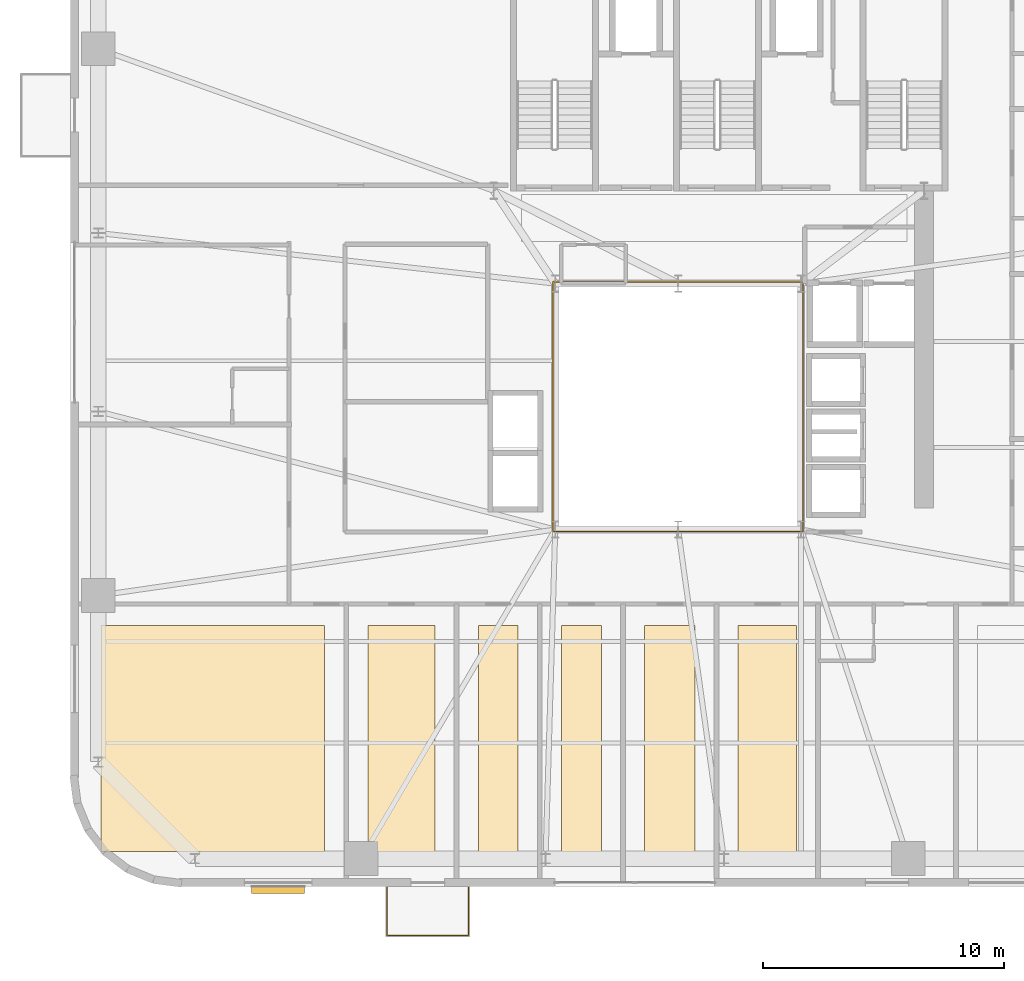
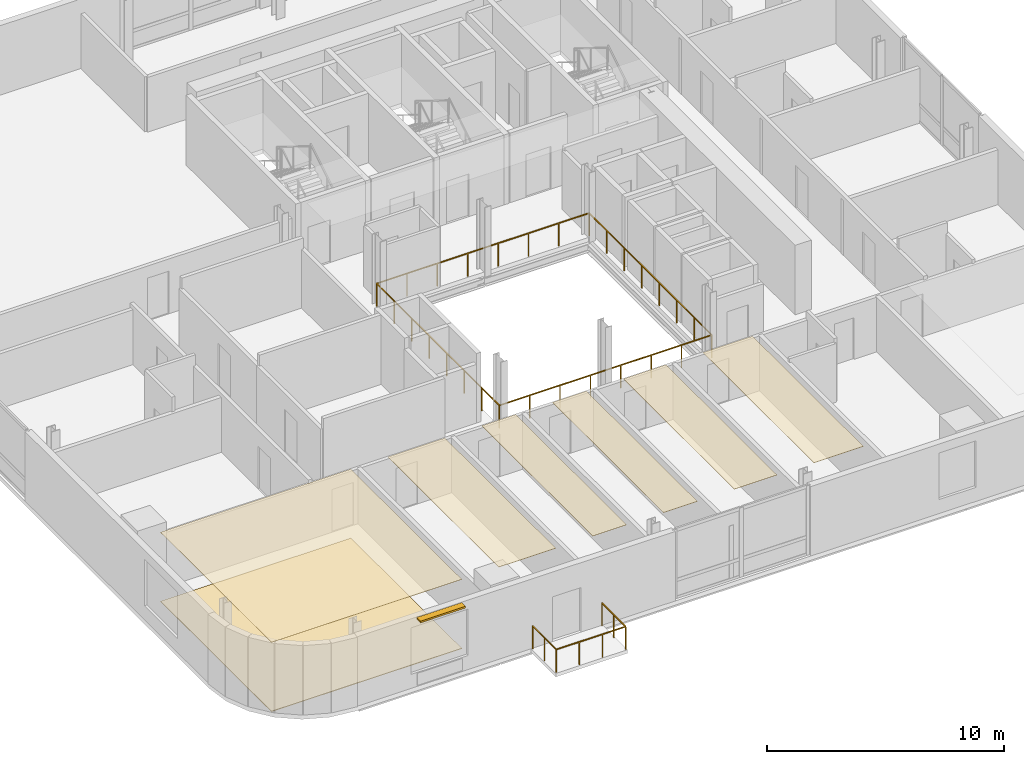
# One storey, part 12 of 16: 7 coverings, 2 railings, 1 shading device.
"""IFC4 building model written with IfcOpenShell, lengths in metres."""

from ifc_helpers import new_model, si_unit, direction, frame, origin, origin_2d, place, context, subcontext, project, spatial, polyline, rectangle, outline, extrude, source, transform, mapped, material, layer, layer_set, type_object, element, save


model = new_model("IFC4")

# Units and contexts
model_context = context("Model", 3, precision=1e-05, world=origin(), true_north=direction((0.0, 1.0)))
body_context = subcontext(model_context, "Body", "Model", "MODEL_VIEW")
ifc_project = project(units=[si_unit("LENGTHUNIT", "METRE"), si_unit("AREAUNIT", "SQUARE_METRE"), si_unit("VOLUMEUNIT", "CUBIC_METRE"), si_unit("PLANEANGLEUNIT", "RADIAN"), si_unit("MASSUNIT", "GRAM", prefix="KILO")], contexts=[model_context])

# Site, building, storey
site_placement = place(None, origin())
site = spatial("IfcSite", under=ifc_project, at=site_placement, CompositionType="ELEMENT")
building_placement = place(site_placement, origin())
building = spatial("IfcBuilding", under=site, at=building_placement, Name="Vardaveli Station Tower", CompositionType="ELEMENT")
storey_placement = place(building_placement, frame((0.0, 0.0, 181.0)))
storey = spatial("IfcBuildingStorey", under=building, at=storey_placement, Name="L46", CompositionType="ELEMENT", Elevation=181.0)

# Coverings
ifc_material_1 = material(Name="Perforated acoustic mineral ceiling")
ifc_layer_1 = layer(ifc_material_1, 0.02001953125, Name="Perforated acoustic mineral ceiling")
ifc_layer_set_1 = layer_set([ifc_layer_1], Name="Perforated acoustic mineral ceiling")
covering_type_1 = type_object("IfcCoveringType", Name="COV-CEIL-AC20", PredefinedType="CEILING", material=ifc_layer_set_1)
covering_1_placement = place(storey_placement, frame((0.0, 0.0, 3.56494140625)))
element("IfcCovering", 1, at=covering_1_placement, inside=storey, type_object=covering_type_1, Name="CEIL-L46-1", PredefinedType="CEILING", context=body_context, shape_type="SweptSolid", body=[
    extrude(outline(polyline([(12.35009765625, 3.25), (21.6298828125, 3.25), (21.6298828125, 12.610107421875), (12.35009765625, 12.610107421875), (12.35009765625, 3.25)])), origin(), (0.0, 0.0, 1.0), 0.02001953125),
])
covering_2_placement = place(storey_placement, frame((0.0, 0.0, 3.56494140625)))
element("IfcCovering", 2, at=covering_2_placement, inside=storey, type_object=covering_type_1, Name="CEIL-L46-2", PredefinedType="CEILING", context=body_context, shape_type="SweptSolid", body=[
    extrude(outline(polyline([(23.429931640625, 3.25), (26.21044921875, 3.25), (26.21044921875, 12.610107421875), (23.429931640625, 12.610107421875), (23.429931640625, 3.25)])), origin(), (0.0, 0.0, 1.0), 0.02001953125),
])
covering_3_placement = place(storey_placement, frame((0.0, 0.0, 3.56494140625)))
element("IfcCovering", 3, at=covering_3_placement, inside=storey, type_object=covering_type_1, Name="CEIL-L46-3", PredefinedType="CEILING", context=body_context, shape_type="SweptSolid", body=[
    extrude(outline(polyline([(28.010498046875, 3.25), (29.660400390625, 3.25), (29.660400390625, 12.610107421875), (28.010498046875, 12.610107421875), (28.010498046875, 3.25)])), origin(), (0.0, 0.0, 1.0), 0.02001953125),
])
covering_4_placement = place(storey_placement, frame((0.0, 0.0, 3.56494140625)))
element("IfcCovering", 4, at=covering_4_placement, inside=storey, type_object=covering_type_1, Name="CEIL-L46-4", PredefinedType="CEILING", context=body_context, shape_type="SweptSolid", body=[
    extrude(outline(polyline([(31.46044921875, 3.25), (33.1103515625, 3.25), (33.1103515625, 12.610107421875), (31.46044921875, 12.610107421875), (31.46044921875, 3.25)])), origin(), (0.0, 0.0, 1.0), 0.02001953125),
])
covering_5_placement = place(storey_placement, frame((0.0, 0.0, 3.56494140625)))
element("IfcCovering", 5, at=covering_5_placement, inside=storey, type_object=covering_type_1, Name="CEIL-L46-5", PredefinedType="CEILING", context=body_context, shape_type="SweptSolid", body=[
    extrude(outline(polyline([(34.910400390625, 3.25), (36.989990234375, 3.25), (36.989990234375, 12.610107421875), (34.910400390625, 12.610107421875), (34.910400390625, 3.25)])), origin(), (0.0, 0.0, 1.0), 0.02001953125),
])
covering_6_placement = place(storey_placement, frame((0.0, 0.0, 3.56494140625)))
element("IfcCovering", 6, at=covering_6_placement, inside=storey, type_object=covering_type_1, Name="CEIL-L46-6", PredefinedType="CEILING", context=body_context, shape_type="SweptSolid", body=[
    extrude(outline(polyline([(38.7900390625, 3.25), (41.205078125, 3.25), (41.205078125, 12.610107421875), (38.7900390625, 12.610107421875), (38.7900390625, 3.25)])), origin(), (0.0, 0.0, 1.0), 0.02001953125),
])
ifc_material_2 = material(Name="Honed Caucasian basalt and travertine flooring", Category="masonry")
ifc_layer_2 = layer(ifc_material_2, 0.030029296875, Name="Honed Caucasian basalt and travertine flooring")
ifc_layer_set_2 = layer_set([ifc_layer_2], Name="Honed Caucasian basalt and travertine flooring")
covering_type_2 = type_object("IfcCoveringType", Name="COV-FLOOR-ST30", PredefinedType="FLOORING", material=ifc_layer_set_2)
covering_7_placement = place(storey_placement, origin())
element("IfcCovering", 7, at=covering_7_placement, inside=storey, type_object=covering_type_2, Name="FLR-L46-1", PredefinedType="FLOORING", context=body_context, shape_type="SweptSolid", body=[
    extrude(outline(polyline([(12.35009765625, 3.25), (21.6298828125, 3.25), (21.6298828125, 12.610107421875), (12.35009765625, 12.610107421875), (12.35009765625, 3.25)])), origin(), (0.0, 0.0, 1.0), 0.030029296875),
])

# Railing
ifc_material_3 = material(Name="Laminated glass and stainless steel balustrade", Category="steel")
railing_type = type_object("IfcRailingType", Name="RL-BAL-1200", PredefinedType="BALUSTRADE", material=ifc_material_3)
shared_shape_1 = source(origin(), body_context, "Body", "SweptSolid", [
    extrude(rectangle(XDim=0.048095703125, YDim=0.048095703125, at=origin_2d()), frame((0.0, 0.0, 1.17578125), z_axis=(0.0, -1.0, 0.0), x_axis=(1.0, 0.0, 0.0)), (0.0, 0.0, 1.0), 2.0),
    extrude(rectangle(XDim=0.048095703125, YDim=0.048095703125, at=origin_2d()), frame((0.0, -2.0, 1.17578125), z_axis=(1.0, 0.0, 0.0), x_axis=(0.0, 1.0, 0.0)), (0.0, 0.0, 1.0), 3.3798828125),
    extrude(rectangle(XDim=0.048095703125, YDim=0.048095703125, at=origin_2d()), frame((3.3798828125, -2.0, 1.17578125), z_axis=(0.0, 1.0, 0.0), x_axis=(-1.0, 0.0, 0.0)), (0.0, 0.0, 1.0), 2.0),
    extrude(rectangle(XDim=0.0419921875, YDim=0.0419921875, at=origin_2d()), origin(), (0.0, 0.0, 1.0), 1.15185546875),
    extrude(rectangle(XDim=0.0419921875, YDim=0.0419921875, at=origin_2d()), frame((0.0, -1.0, 0.0)), (0.0, 0.0, 1.0), 1.15185546875),
    extrude(rectangle(XDim=0.0419921875, YDim=0.0419921875, at=origin_2d()), frame((0.0, -2.0, 0.0)), (0.0, 0.0, 1.0), 1.15185546875),
    extrude(rectangle(XDim=0.0419921875, YDim=0.0419921875, at=origin_2d()), frame((1.126708984375, -2.0, 0.0)), (0.0, 0.0, 1.0), 1.15185546875),
    extrude(rectangle(XDim=0.0419921875, YDim=0.0419921875, at=origin_2d()), frame((2.253173828125, -2.0, 0.0)), (0.0, 0.0, 1.0), 1.15185546875),
    extrude(rectangle(XDim=0.0419921875, YDim=0.0419921875, at=origin_2d()), frame((3.3798828125, -2.0, 0.0)), (0.0, 0.0, 1.0), 1.15185546875),
    extrude(rectangle(XDim=0.0419921875, YDim=0.0419921875, at=origin_2d()), frame((3.3798828125, -1.0, 0.0)), (0.0, 0.0, 1.0), 1.15185546875),
    extrude(rectangle(XDim=0.0419921875, YDim=0.0419921875, at=origin_2d()), frame((3.3798828125, 0.0, 0.0)), (0.0, 0.0, 1.0), 1.15185546875),
])
railing_1_placement = place(storey_placement, frame((24.220458984375, 1.760009765625, 0.0)))
element("IfcRailing", 8, at=railing_1_placement, inside=storey, type_object=railing_type, Name="RL-LOG-L46-01", PredefinedType="BALUSTRADE", context=body_context, shape_type="MappedRepresentation", body=[
    mapped(shared_shape_1, transform((0.0, 0.0, 0.0), scale=1.0)),
])

# Shading device
ifc_material_4 = material(Name="Anodised champagne aluminium sunshade", Category="aluminium")
ifc_layer_3 = layer(ifc_material_4, 0.090087890625, Name="Anodised champagne aluminium sunshade")
ifc_layer_set_3 = layer_set([ifc_layer_3], Name="Anodised champagne aluminium sunshade")
shading_device_type = type_object("IfcShadingDeviceType", Name="SHD-SUNSHADE", PredefinedType="USERDEFINED", material=ifc_layer_set_3)
shared_shape_2 = source(origin(), body_context, "Body", "SweptSolid", [
    extrude(rectangle(XDim=2.199951171875, YDim=0.320068359375, at=origin_2d()), origin(), (0.0, 0.0, 1.0), 0.090087890625),
])
shading_device_placement = place(storey_placement, frame((19.705078125, 1.655029296875, 3.4599609375), z_axis=(0.0, 0.0, 1.0), x_axis=(1.0, 0.0, 0.0)))
element("IfcShadingDevice", 9, at=shading_device_placement, inside=storey, type_object=shading_device_type, Name="SHD-SS-L46-S", ObjectType="SUNSHADE", PredefinedType="USERDEFINED", context=body_context, shape_type="MappedRepresentation", body=[
    mapped(shared_shape_2, transform((0.0, 0.0, 0.0), scale=1.0)),
])

# Railing
shared_shape_3 = source(origin(), body_context, "Body", "SweptSolid", [
    extrude(rectangle(XDim=0.048095703125, YDim=0.048095703125, at=origin_2d()), frame((0.0, 0.0, 1.17578125), z_axis=(1.0, 0.0, 0.0), x_axis=(0.0, 1.0, 0.0)), (0.0, 0.0, 1.0), 10.35986328125),
    extrude(rectangle(XDim=0.048095703125, YDim=0.048095703125, at=origin_2d()), frame((10.35986328125, 0.0, 1.17578125), z_axis=(0.0, 1.0, 0.0), x_axis=(-1.0, 0.0, 0.0)), (0.0, 0.0, 1.0), 10.35986328125),
    extrude(rectangle(XDim=0.048095703125, YDim=0.048095703125, at=origin_2d()), frame((10.35986328125, 10.35986328125, 1.17578125), z_axis=(-1.0, 0.0, 0.0), x_axis=(0.0, -1.0, 0.0)), (0.0, 0.0, 1.0), 10.35986328125),
    extrude(rectangle(XDim=0.048095703125, YDim=0.048095703125, at=origin_2d()), frame((0.0, 10.35986328125, 1.17578125), z_axis=(0.0, -1.0, 0.0), x_axis=(1.0, 0.0, 0.0)), (0.0, 0.0, 1.0), 10.35986328125),
    extrude(rectangle(XDim=0.0419921875, YDim=0.0419921875, at=origin_2d()), origin(), (0.0, 0.0, 1.0), 1.15185546875),
    extrude(rectangle(XDim=0.0419921875, YDim=0.0419921875, at=origin_2d()), frame((1.47998046875, 0.0, 0.0)), (0.0, 0.0, 1.0), 1.15185546875),
    extrude(rectangle(XDim=0.0419921875, YDim=0.0419921875, at=origin_2d()), frame((2.9599609375, 0.0, 0.0)), (0.0, 0.0, 1.0), 1.15185546875),
    extrude(rectangle(XDim=0.0419921875, YDim=0.0419921875, at=origin_2d()), frame((4.43994140625, 0.0, 0.0)), (0.0, 0.0, 1.0), 1.15185546875),
    extrude(rectangle(XDim=0.0419921875, YDim=0.0419921875, at=origin_2d()), frame((5.919921875, 0.0, 0.0)), (0.0, 0.0, 1.0), 1.15185546875),
    extrude(rectangle(XDim=0.0419921875, YDim=0.0419921875, at=origin_2d()), frame((7.39990234375, 0.0, 0.0)), (0.0, 0.0, 1.0), 1.15185546875),
    extrude(rectangle(XDim=0.0419921875, YDim=0.0419921875, at=origin_2d()), frame((8.8798828125, 0.0, 0.0)), (0.0, 0.0, 1.0), 1.15185546875),
    extrude(rectangle(XDim=0.0419921875, YDim=0.0419921875, at=origin_2d()), frame((10.35986328125, 0.0, 0.0)), (0.0, 0.0, 1.0), 1.15185546875),
    extrude(rectangle(XDim=0.0419921875, YDim=0.0419921875, at=origin_2d()), frame((10.35986328125, 1.47998046875, 0.0)), (0.0, 0.0, 1.0), 1.15185546875),
    extrude(rectangle(XDim=0.0419921875, YDim=0.0419921875, at=origin_2d()), frame((10.35986328125, 2.9599609375, 0.0)), (0.0, 0.0, 1.0), 1.15185546875),
    extrude(rectangle(XDim=0.0419921875, YDim=0.0419921875, at=origin_2d()), frame((10.35986328125, 4.43994140625, 0.0)), (0.0, 0.0, 1.0), 1.15185546875),
    extrude(rectangle(XDim=0.0419921875, YDim=0.0419921875, at=origin_2d()), frame((10.35986328125, 5.919921875, 0.0)), (0.0, 0.0, 1.0), 1.15185546875),
    extrude(rectangle(XDim=0.0419921875, YDim=0.0419921875, at=origin_2d()), frame((10.35986328125, 7.39990234375, 0.0)), (0.0, 0.0, 1.0), 1.15185546875),
    extrude(rectangle(XDim=0.0419921875, YDim=0.0419921875, at=origin_2d()), frame((10.35986328125, 8.8798828125, 0.0)), (0.0, 0.0, 1.0), 1.15185546875),
    extrude(rectangle(XDim=0.0419921875, YDim=0.0419921875, at=origin_2d()), frame((10.35986328125, 10.35986328125, 0.0)), (0.0, 0.0, 1.0), 1.15185546875),
    extrude(rectangle(XDim=0.0419921875, YDim=0.0419921875, at=origin_2d()), frame((8.8798828125, 10.35986328125, 0.0)), (0.0, 0.0, 1.0), 1.15185546875),
    extrude(rectangle(XDim=0.0419921875, YDim=0.0419921875, at=origin_2d()), frame((7.39990234375, 10.35986328125, 0.0)), (0.0, 0.0, 1.0), 1.15185546875),
    extrude(rectangle(XDim=0.0419921875, YDim=0.0419921875, at=origin_2d()), frame((5.919921875, 10.35986328125, 0.0)), (0.0, 0.0, 1.0), 1.15185546875),
    extrude(rectangle(XDim=0.0419921875, YDim=0.0419921875, at=origin_2d()), frame((4.43994140625, 10.35986328125, 0.0)), (0.0, 0.0, 1.0), 1.15185546875),
    extrude(rectangle(XDim=0.0419921875, YDim=0.0419921875, at=origin_2d()), frame((2.9599609375, 10.35986328125, 0.0)), (0.0, 0.0, 1.0), 1.15185546875),
    extrude(rectangle(XDim=0.0419921875, YDim=0.0419921875, at=origin_2d()), frame((1.47998046875, 10.35986328125, 0.0)), (0.0, 0.0, 1.0), 1.15185546875),
    extrude(rectangle(XDim=0.0419921875, YDim=0.0419921875, at=origin_2d()), frame((0.0, 10.35986328125, 0.0)), (0.0, 0.0, 1.0), 1.15185546875),
    extrude(rectangle(XDim=0.0419921875, YDim=0.0419921875, at=origin_2d()), frame((0.0, 8.8798828125, 0.0)), (0.0, 0.0, 1.0), 1.15185546875),
    extrude(rectangle(XDim=0.0419921875, YDim=0.0419921875, at=origin_2d()), frame((0.0, 7.39990234375, 0.0)), (0.0, 0.0, 1.0), 1.15185546875),
    extrude(rectangle(XDim=0.0419921875, YDim=0.0419921875, at=origin_2d()), frame((0.0, 5.919921875, 0.0)), (0.0, 0.0, 1.0), 1.15185546875),
    extrude(rectangle(XDim=0.0419921875, YDim=0.0419921875, at=origin_2d()), frame((0.0, 4.43994140625, 0.0)), (0.0, 0.0, 1.0), 1.15185546875),
    extrude(rectangle(XDim=0.0419921875, YDim=0.0419921875, at=origin_2d()), frame((0.0, 2.9599609375, 0.0)), (0.0, 0.0, 1.0), 1.15185546875),
    extrude(rectangle(XDim=0.0419921875, YDim=0.0419921875, at=origin_2d()), frame((0.0, 1.47998046875, 0.0)), (0.0, 0.0, 1.0), 1.15185546875),
])
railing_2_placement = place(storey_placement, frame((31.1201171875, 16.52001953125, 0.0)))
element("IfcRailing", 10, at=railing_2_placement, inside=storey, type_object=railing_type, Name="RL-ATR-L46", PredefinedType="BALUSTRADE", context=body_context, shape_type="MappedRepresentation", body=[
    mapped(shared_shape_3, transform((0.0, 0.0, 0.0), scale=1.0)),
])

save(model, "model.ifc")
